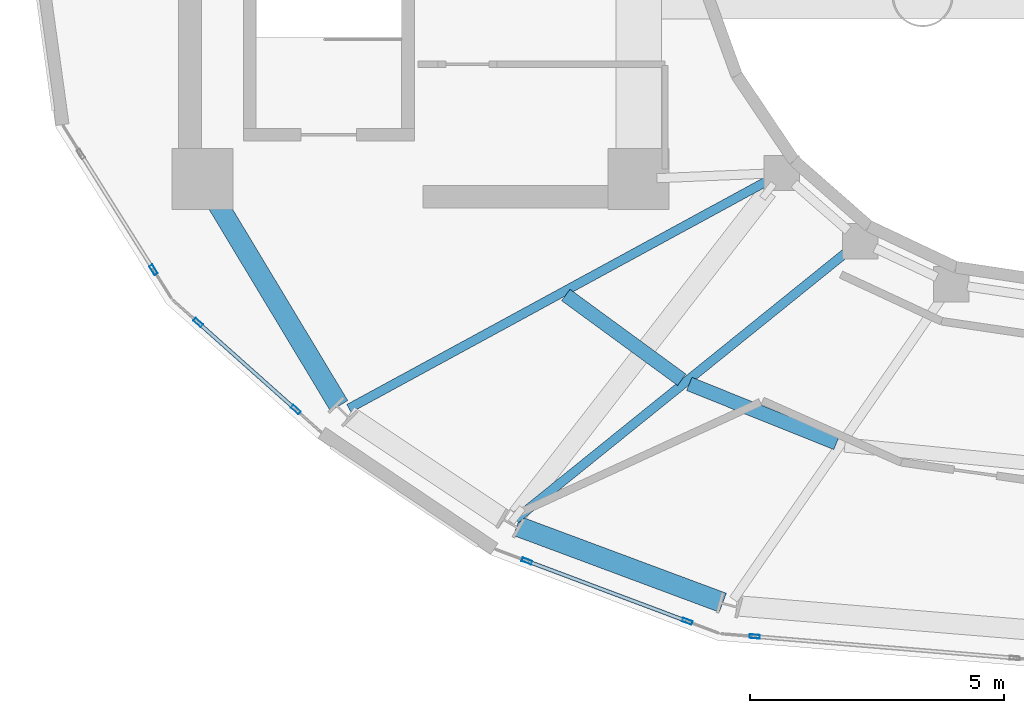
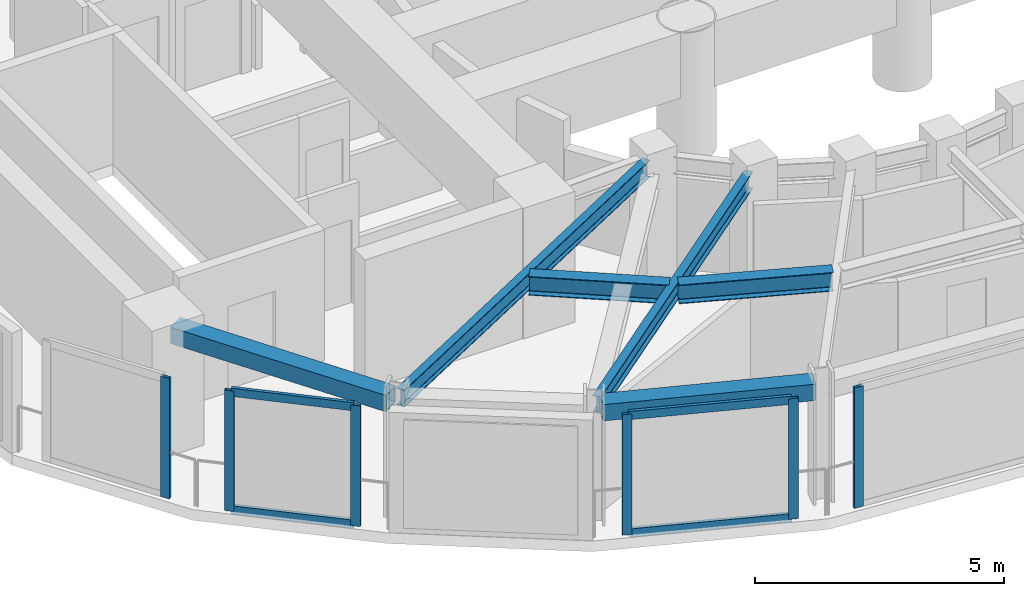
# One storey, part 2 of 17: 10 members, 6 beams, 4 elements without a shape of their own.
"""IFC4 building model written with IfcOpenShell, lengths in metres."""

from ifc_helpers import new_model, si_unit, direction, frame, origin, origin_2d, place, context, subcontext, project, spatial, hollow_rectangle, i_section, extrude, material, layer, layer_set, material_profile, profile_set, type_object, element, aggregate, save


model = new_model("IFC4")

# Units and contexts
model_context = context("Model", 3, precision=1e-05, world=origin(), true_north=direction((0.0, 1.0)))
body_context = subcontext(model_context, "Body", "Model", "MODEL_VIEW")
ifc_project = project(units=[si_unit("LENGTHUNIT", "METRE"), si_unit("AREAUNIT", "SQUARE_METRE"), si_unit("VOLUMEUNIT", "CUBIC_METRE"), si_unit("PLANEANGLEUNIT", "RADIAN"), si_unit("MASSUNIT", "GRAM", prefix="KILO")], contexts=[model_context])

# Site, building, storey
site_placement = place(None, origin())
site = spatial("IfcSite", under=ifc_project, at=site_placement, CompositionType="ELEMENT")
building_placement = place(site_placement, origin())
building = spatial("IfcBuilding", under=site, at=building_placement, Name="Solvane Sanctuary Tower", CompositionType="ELEMENT")
storey_placement = place(building_placement, frame((0.0, 0.0, 276.39990234375)))
storey = spatial("IfcBuildingStorey", under=building, at=storey_placement, Name="L84", CompositionType="ELEMENT", Elevation=276.39990234375)

# Beams
ifc_material_1 = material(Name="Steel ASTM A913 Grade 65", Category="steel")
ifc_material_profile_1 = material_profile(ifc_material_1, hollow_rectangle(XDim=0.39990234375, YDim=0.39990234375, WallThickness=0.01611328125, at=origin_2d()), Name="HSS400X400X16")
ifc_profile_set_1 = profile_set([ifc_material_profile_1], Name="Steel ASTM A913 Grade 65")
beam_type_1 = type_object("IfcBeamType", Name="Beam B-CROWN-CAP HSS400X400X16", PredefinedType="T_BEAM", material=ifc_profile_set_1)
beam_1_placement = place(storey_placement, frame((15.4443359375, 16.66015625, 2.748046875), z_axis=(0.515766710817, -0.856729070368, 0.0), x_axis=(0.856729070368, 0.515766710817, 0.0)))
element("IfcBeam", 1, at=beam_1_placement, inside=storey, type_object=beam_type_1, Name="L84 Perimeter Spandrel Beam CW1-TC08", PredefinedType="T_BEAM", context=body_context, shape_type="SweptSolid", body=[
    extrude(hollow_rectangle(XDim=0.39990234375, YDim=0.39990234375, WallThickness=0.01611328125, at=origin_2d()), origin(), (0.0, 0.0, 1.0), 4.94140625),
])
beam_2_placement = place(storey_placement, frame((21.499267578125, 10.05615234375, 2.748046875), z_axis=(0.937063322724, -0.349159460998, 0.0), x_axis=(0.349159460998, 0.937063322724, 0.0)))
element("IfcBeam", 2, at=beam_2_placement, inside=storey, type_object=beam_type_1, Name="L84 Perimeter Spandrel Beam TC09-TC10", PredefinedType="T_BEAM", context=body_context, shape_type="SweptSolid", body=[
    extrude(hollow_rectangle(XDim=0.39990234375, YDim=0.39990234375, WallThickness=0.01611328125, at=origin_2d()), origin(), (0.0, 0.0, 1.0), 4.333740234375),
])
ifc_material_2 = material(Name="Steel ASTM A992 Grade 50", Category="steel")
ifc_material_profile_2 = material_profile(ifc_material_2, i_section(OverallWidth=0.180908203125, OverallDepth=0.4169921875, WebThickness=0.010986328125, FlangeThickness=0.018310546875, FilletRadius=0.012939453125, at=origin_2d()), Name="W16X57")
ifc_profile_set_2 = profile_set([ifc_material_profile_2], Name="Steel ASTM A992 Grade 50")
beam_type_2 = type_object("IfcBeamType", Name="Beam B-ROOF-BM W16X57", PredefinedType="BEAM", material=ifc_profile_set_2)
beam_3_placement = place(storey_placement, frame((26.47900390625, 16.884033203125, 2.739501953125), z_axis=(-0.878434757059, -0.477862299821, 0.0), x_axis=(0.477862299821, -0.878434757059, 0.0)))
element("IfcBeam", 3, at=beam_3_placement, inside=storey, type_object=beam_type_2, Name="L84 Radial Composite Floor Beam 08", PredefinedType="BEAM", context=body_context, shape_type="SweptSolid", body=[
    extrude(i_section(OverallWidth=0.180908203125, OverallDepth=0.4169921875, WebThickness=0.010986328125, FlangeThickness=0.018310546875, FilletRadius=0.012939453125, at=origin_2d()), origin(), (0.0, 0.0, 1.0), 9.4384765625),
])
beam_4_placement = place(storey_placement, frame((28.052001953125, 15.49755859375, 2.739501953125), z_axis=(-0.778293673561, -0.627900436132, 0.0), x_axis=(0.627900436132, -0.778293673561, 0.0)))
element("IfcBeam", 4, at=beam_4_placement, inside=storey, type_object=beam_type_2, Name="L84 Radial Composite Floor Beam 09", PredefinedType="BEAM", context=body_context, shape_type="SweptSolid", body=[
    extrude(i_section(OverallWidth=0.180908203125, OverallDepth=0.4169921875, WebThickness=0.010986328125, FlangeThickness=0.018310546875, FilletRadius=0.012939453125, at=origin_2d()), origin(), (0.0, 0.0, 1.0), 8.447998046875),
])
ifc_material_profile_3 = material_profile(ifc_material_2, i_section(OverallWidth=0.280029296875, OverallDepth=0.462890625, WebThickness=0.0107421875, FlangeThickness=0.017333984375, FilletRadius=0.013916015625, at=origin_2d()), Name="W18X76")
ifc_profile_set_3 = profile_set([ifc_material_profile_3], Name="Steel ASTM A992 Grade 50")
beam_type_3 = type_object("IfcBeamType", Name="Beam B-SEC-JOIST W18X76", PredefinedType="JOIST", material=ifc_profile_set_3)
beam_5_placement = place(storey_placement, frame((22.464111328125, 14.61181640625, 2.716552734375), z_axis=(0.807111477051, -0.590399071486, 0.0), x_axis=(0.590399071486, 0.807111477051, 0.0)))
element("IfcBeam", 5, at=beam_5_placement, inside=storey, type_object=beam_type_3, Name="L84 Secondary Circumferential Joist 08-09", PredefinedType="JOIST", context=body_context, shape_type="SweptSolid", body=[
    extrude(i_section(OverallWidth=0.280029296875, OverallDepth=0.462890625, WebThickness=0.0107421875, FlangeThickness=0.017333984375, FilletRadius=0.013916015625, at=origin_2d()), origin(), (0.0, 0.0, 1.0), 2.832275390625),
])
beam_6_placement = place(storey_placement, frame((24.8984375, 12.857421875, 2.716552734375), z_axis=(0.928115538523, -0.372292287258, 0.0), x_axis=(0.372292287258, 0.928115538523, 0.0)))
element("IfcBeam", 6, at=beam_6_placement, inside=storey, type_object=beam_type_3, Name="L84 Secondary Circumferential Joist 09-10", PredefinedType="JOIST", context=body_context, shape_type="SweptSolid", body=[
    extrude(i_section(OverallWidth=0.280029296875, OverallDepth=0.462890625, WebThickness=0.0107421875, FlangeThickness=0.017333984375, FilletRadius=0.013916015625, at=origin_2d()), origin(), (0.0, 0.0, 1.0), 3.12744140625),
])

# Curtain wall, member
ifc_material_3 = material(Name="Anodised Aluminium 6063-T6", Category="aluminium")
ifc_layer = layer(ifc_material_3, 0.219970703125, Name="Anodised Aluminium 6063-T6")
ifc_layer_set = layer_set([ifc_layer], Name="Anodised Aluminium 6063-T6")
curtain_wall_type = type_object("IfcCurtainWallType", Name="Curtain Wall CW-CROWN", PredefinedType="NOTDEFINED", material=ifc_layer_set)
curtain_wall_1_placement = place(storey_placement, origin())
curtain_wall_1 = element("IfcCurtainWall", 7, at=curtain_wall_1_placement, inside=storey, type_object=curtain_wall_type, Name="L84 Crown Fritted Lantern Curtain Wall 13", PredefinedType="NOTDEFINED")
ifc_material_profile_4 = material_profile(ifc_material_3, hollow_rectangle(XDim=0.074951171875, YDim=0.199951171875, WallThickness=0.00390625, at=origin_2d()), Name="ALU200X75X4")
ifc_profile_set_4 = profile_set([ifc_material_profile_4], Name="Anodised Aluminium 6063-T6")
member_type_1 = type_object("IfcMemberType", Name="Member M-CW-MUL-1 ALU200X75X4", PredefinedType="MULLION", material=ifc_profile_set_4)
member_1_placement = place(storey_placement, frame((14.332763671875, 15.10888671875, 0.0), z_axis=(0.0, 0.0, 1.0), x_axis=(0.847126400009, 0.531391439909, 0.0)))
member_1 = element("IfcMember", 8, at=member_1_placement, type_object=member_type_1, Name="CW-CROWN mullion 2", PredefinedType="MULLION", context=body_context, shape_type="SweptSolid", body=[
    extrude(hollow_rectangle(XDim=0.074951171875, YDim=0.199951171875, WallThickness=0.00390625, at=origin_2d()), origin(), (0.0, 0.0, 1.0), 2.9501953125),
])
aggregate(curtain_wall_1, [member_1])

# Curtain wall, members
curtain_wall_2_placement = place(storey_placement, origin())
curtain_wall_2 = element("IfcCurtainWall", 9, at=curtain_wall_2_placement, inside=storey, type_object=curtain_wall_type, Name="L84 Crown Fritted Lantern Curtain Wall 14", PredefinedType="NOTDEFINED")
member_2_placement = place(storey_placement, frame((15.21142578125, 14.069091796875, 0.0), z_axis=(0.0, 0.0, 1.0), x_axis=(0.665328117659, 0.746551067143, 0.0)))
member_2 = element("IfcMember", 10, at=member_2_placement, type_object=member_type_1, Name="CW-CROWN mullion 1", PredefinedType="MULLION", context=body_context, shape_type="SweptSolid", body=[
    extrude(hollow_rectangle(XDim=0.074951171875, YDim=0.199951171875, WallThickness=0.00390625, at=origin_2d()), origin(), (0.0, 0.0, 1.0), 2.9501953125),
])
member_3_placement = place(storey_placement, frame((17.138916015625, 12.351318359375, 0.0), z_axis=(0.0, 0.0, 1.0), x_axis=(0.665328117659, 0.746551067143, 0.0)))
member_3 = element("IfcMember", 11, at=member_3_placement, type_object=member_type_1, Name="CW-CROWN mullion 2", PredefinedType="MULLION", context=body_context, shape_type="SweptSolid", body=[
    extrude(hollow_rectangle(XDim=0.074951171875, YDim=0.199951171875, WallThickness=0.00390625, at=origin_2d()), origin(), (0.0, 0.0, 1.0), 2.9501953125),
])

curtain_wall_3_placement = place(storey_placement, origin())
curtain_wall_3 = element("IfcCurtainWall", 12, at=curtain_wall_3_placement, inside=storey, type_object=curtain_wall_type, Name="L84 Crown Fritted Lantern Curtain Wall 16", PredefinedType="NOTDEFINED")
member_4_placement = place(storey_placement, frame((21.696533203125, 9.365478515625, 0.0), z_axis=(0.0, 0.0, 1.0), x_axis=(0.351811483483, 0.936070873433, 0.0)))
member_4 = element("IfcMember", 13, at=member_4_placement, type_object=member_type_1, Name="CW-CROWN mullion 1", PredefinedType="MULLION", context=body_context, shape_type="SweptSolid", body=[
    extrude(hollow_rectangle(XDim=0.074951171875, YDim=0.199951171875, WallThickness=0.00390625, at=origin_2d()), origin(), (0.0, 0.0, 1.0), 2.9501953125),
])
member_5_placement = place(storey_placement, frame((24.861083984375, 8.176025390625, 0.0), z_axis=(0.0, 0.0, 1.0), x_axis=(0.351811483483, 0.936070873433, 0.0)))
member_5 = element("IfcMember", 14, at=member_5_placement, type_object=member_type_1, Name="CW-CROWN mullion 2", PredefinedType="MULLION", context=body_context, shape_type="SweptSolid", body=[
    extrude(hollow_rectangle(XDim=0.074951171875, YDim=0.199951171875, WallThickness=0.00390625, at=origin_2d()), origin(), (0.0, 0.0, 1.0), 2.9501953125),
])

# Curtain wall, member
curtain_wall_4_placement = place(storey_placement, origin())
curtain_wall_4 = element("IfcCurtainWall", 15, at=curtain_wall_4_placement, inside=storey, type_object=curtain_wall_type, Name="L84 Crown Fritted Lantern Curtain Wall 17", PredefinedType="NOTDEFINED")
member_6_placement = place(storey_placement, frame((26.18994140625, 7.877197265625, 0.0), z_axis=(0.0, 0.0, 1.0), x_axis=(0.082720314892, 0.996572801909, 0.0)))
member_6 = element("IfcMember", 16, at=member_6_placement, type_object=member_type_1, Name="CW-CROWN mullion 1", PredefinedType="MULLION", context=body_context, shape_type="SweptSolid", body=[
    extrude(hollow_rectangle(XDim=0.074951171875, YDim=0.199951171875, WallThickness=0.00390625, at=origin_2d()), origin(), (0.0, 0.0, 1.0), 2.9501953125),
])
aggregate(curtain_wall_4, [member_6])

# Member
ifc_material_profile_5 = material_profile(ifc_material_3, hollow_rectangle(XDim=0.074951171875, YDim=0.199951171875, WallThickness=0.00390625, at=origin_2d()), Name="ALU200X75X4")
ifc_profile_set_5 = profile_set([ifc_material_profile_5], Name="Anodised Aluminium 6063-T6")
member_type_2 = type_object("IfcMemberType", Name="Member M-CW-TRN-2 ALU200X75X4", PredefinedType="USERDEFINED", material=ifc_profile_set_5)
member_7_placement = place(storey_placement, frame((15.239501953125, 14.044189453125, 0.03759765625), z_axis=(0.746505910197, -0.665378783883, 0.0), x_axis=(0.665378783883, 0.746505910197, 0.0)))
member_7 = element("IfcMember", 17, at=member_7_placement, type_object=member_type_2, Name="CW-CROWN transom 1.1", ObjectType="TRANSOM", PredefinedType="USERDEFINED", context=body_context, shape_type="SweptSolid", body=[
    extrude(hollow_rectangle(XDim=0.074951171875, YDim=0.199951171875, WallThickness=0.00390625, at=origin_2d()), origin(), (0.0, 0.0, 1.0), 2.5068359375),
])

member_8_placement = place(storey_placement, frame((15.239501953125, 14.044189453125, 2.91259765625), z_axis=(0.746505910197, -0.665378783883, 0.0), x_axis=(0.665378783883, 0.746505910197, 0.0)))
member_8 = element("IfcMember", 18, at=member_8_placement, type_object=member_type_2, Name="CW-CROWN transom 1.2", ObjectType="TRANSOM", PredefinedType="USERDEFINED", context=body_context, shape_type="SweptSolid", body=[
    extrude(hollow_rectangle(XDim=0.074951171875, YDim=0.199951171875, WallThickness=0.00390625, at=origin_2d()), origin(), (0.0, 0.0, 1.0), 2.5068359375),
])

aggregate(curtain_wall_2, [member_2, member_3, member_7, member_8])

member_9_placement = place(storey_placement, frame((21.731689453125, 9.352294921875, 0.03759765625), z_axis=(0.936064869235, -0.351827458543, 0.0), x_axis=(0.351827458543, 0.936064869235, 0.0)))
member_9 = element("IfcMember", 19, at=member_9_placement, type_object=member_type_2, Name="CW-CROWN transom 1.1", ObjectType="TRANSOM", PredefinedType="USERDEFINED", context=body_context, shape_type="SweptSolid", body=[
    extrude(hollow_rectangle(XDim=0.074951171875, YDim=0.199951171875, WallThickness=0.00390625, at=origin_2d()), origin(), (0.0, 0.0, 1.0), 3.305908203125),
])

member_10_placement = place(storey_placement, frame((21.731689453125, 9.352294921875, 2.91259765625), z_axis=(0.936064869235, -0.351827458543, 0.0), x_axis=(0.351827458543, 0.936064869235, 0.0)))
member_10 = element("IfcMember", 20, at=member_10_placement, type_object=member_type_2, Name="CW-CROWN transom 1.2", ObjectType="TRANSOM", PredefinedType="USERDEFINED", context=body_context, shape_type="SweptSolid", body=[
    extrude(hollow_rectangle(XDim=0.074951171875, YDim=0.199951171875, WallThickness=0.00390625, at=origin_2d()), origin(), (0.0, 0.0, 1.0), 3.305908203125),
])

aggregate(curtain_wall_3, [member_4, member_5, member_9, member_10])

save(model, "model.ifc")
